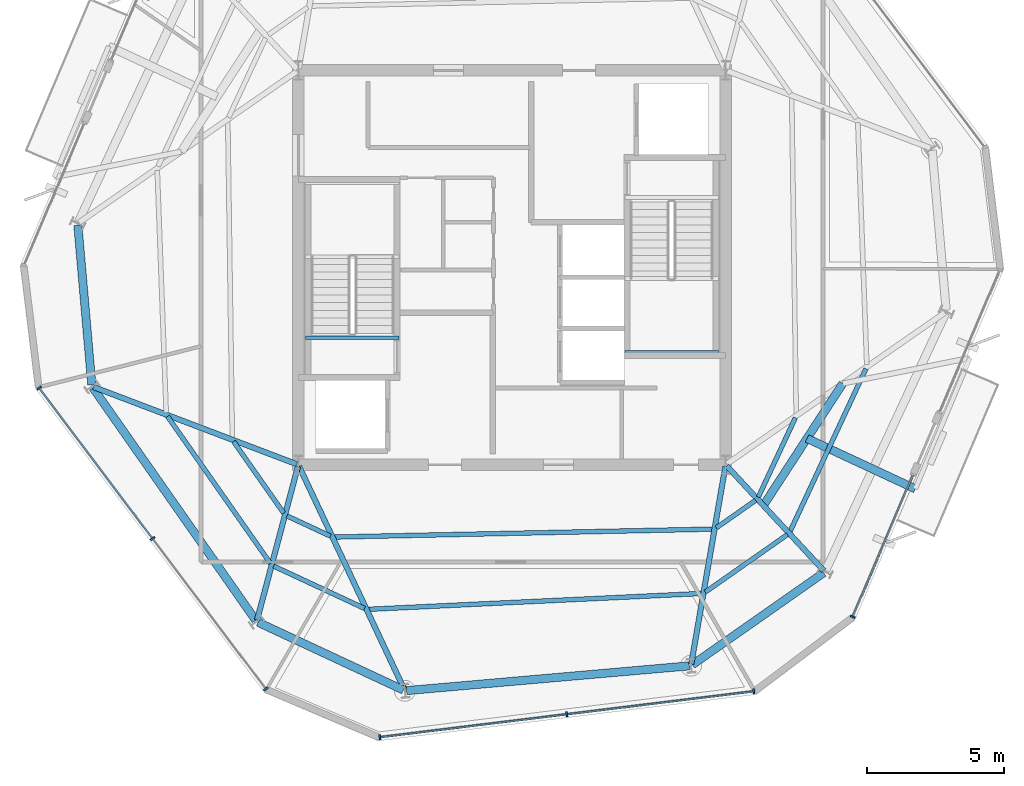
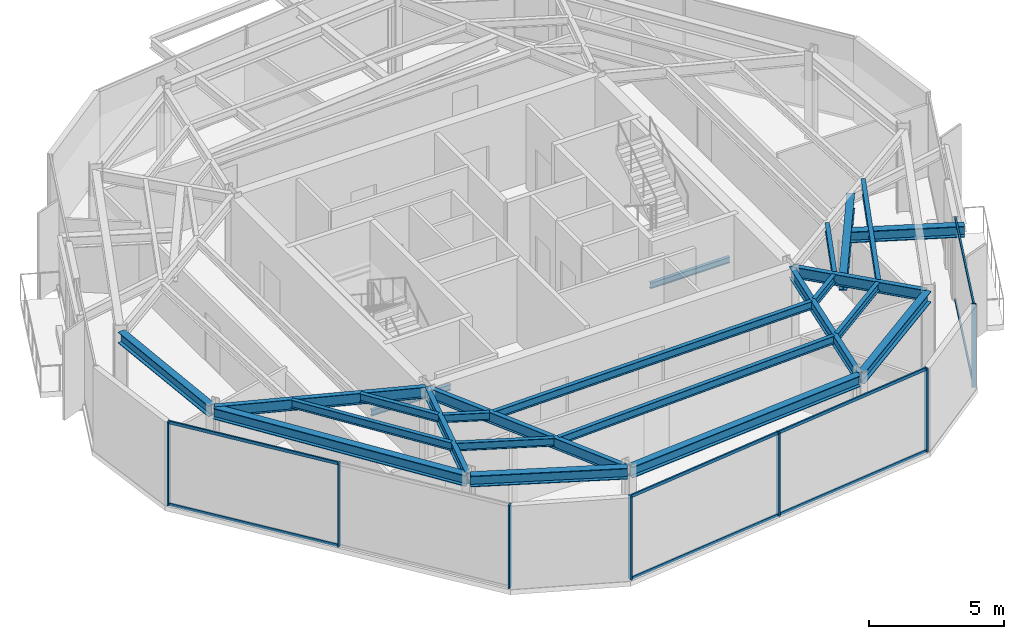
# One storey, part 2 of 11: 24 beams, 15 members, 3 elements without a shape of their own.
"""IFC4 building model written with IfcOpenShell, lengths in metres."""

from ifc_helpers import new_model, si_unit, direction, frame, origin, origin_2d, place, context, subcontext, project, spatial, rectangle, i_section, extrude, material, layer, layer_set, material_profile, profile_set, type_object, element, aggregate, save


model = new_model("IFC4")

# Units and contexts
model_context = context("Model", 3, precision=1e-05, world=origin(), true_north=direction((0.0, 1.0)))
body_context = subcontext(model_context, "Body", "Model", "MODEL_VIEW")
ifc_project = project(units=[si_unit("LENGTHUNIT", "METRE"), si_unit("AREAUNIT", "SQUARE_METRE"), si_unit("VOLUMEUNIT", "CUBIC_METRE"), si_unit("PLANEANGLEUNIT", "RADIAN"), si_unit("MASSUNIT", "GRAM", prefix="KILO")], contexts=[model_context])

# Site, building, storey
site_placement = place(None, origin())
site = spatial("IfcSite", under=ifc_project, at=site_placement, CompositionType="ELEMENT")
building_placement = place(site_placement, origin())
building = spatial("IfcBuilding", under=site, at=building_placement, Name="Kranzbogen Civic Tower", CompositionType="ELEMENT")
storey_placement = place(building_placement, frame((0.0, 0.0, 294.199951171875)))
storey = spatial("IfcBuildingStorey", under=building, at=storey_placement, Name="L71", CompositionType="ELEMENT", Elevation=294.199951171875)

# Curtain wall, members
ifc_material_1 = material(Name="Pale Anodised Aluminium", Category="aluminium")
ifc_layer = layer(ifc_material_1, 0.219970703125, Name="Pale Anodised Aluminium")
ifc_layer_set = layer_set([ifc_layer], Name="Pale Anodised Aluminium")
curtain_wall_type = type_object("IfcCurtainWallType", Name="Zone 4 Stick Curtain Wall System CW-05", PredefinedType="USERDEFINED", material=ifc_layer_set)
curtain_wall_1_placement = place(storey_placement, origin())
curtain_wall_1 = element("IfcCurtainWall", 1, at=curtain_wall_1_placement, inside=storey, type_object=curtain_wall_type, Name="L71 curtain wall CW-L71-F3", ObjectType="STICK CURTAIN WALL", PredefinedType="USERDEFINED")
ifc_material_profile_1 = material_profile(ifc_material_1, rectangle(XDim=0.06494140625, YDim=0.179931640625, at=origin_2d()), Name="ALU-M 65x180")
ifc_profile_set_1 = profile_set([ifc_material_profile_1], Name="Pale Anodised Aluminium")
member_type_1 = type_object("IfcMemberType", Name="Curtain Wall Mullion ALU-M 65x180", PredefinedType="MULLION", material=ifc_profile_set_1)
member_1_placement = place(storey_placement, frame((7.739990234375, 20.60498046875, 0.0), z_axis=(0.0, 0.0, 1.0), x_axis=(0.601816785199, -0.798634182247, 0.0)))
member_1 = element("IfcMember", 2, at=member_1_placement, type_object=member_type_1, Name="CW-05 mullion 1", PredefinedType="MULLION", context=body_context, shape_type="SweptSolid", body=[
    extrude(rectangle(XDim=0.06494140625, YDim=0.179931640625, at=origin_2d()), origin(), (0.0, 0.0, 1.0), 3.780029296875),
])
member_2_placement = place(storey_placement, frame((11.87890625, 15.112548828125, 0.0), z_axis=(0.0, 0.0, 1.0), x_axis=(0.601816785199, -0.798634182247, 0.0)))
member_2 = element("IfcMember", 3, at=member_2_placement, type_object=member_type_1, Name="CW-05 mullion 2", PredefinedType="MULLION", context=body_context, shape_type="SweptSolid", body=[
    extrude(rectangle(XDim=0.06494140625, YDim=0.179931640625, at=origin_2d()), origin(), (0.0, 0.0, 1.0), 3.780029296875),
])
member_3_placement = place(storey_placement, frame((16.01806640625, 9.619873046875, 0.0), z_axis=(0.0, 0.0, 1.0), x_axis=(0.601816785199, -0.798634182247, 0.0)))
member_3 = element("IfcMember", 4, at=member_3_placement, type_object=member_type_1, Name="CW-05 mullion 3", PredefinedType="MULLION", context=body_context, shape_type="SweptSolid", body=[
    extrude(rectangle(XDim=0.06494140625, YDim=0.179931640625, at=origin_2d()), origin(), (0.0, 0.0, 1.0), 3.780029296875),
])

curtain_wall_2_placement = place(storey_placement, origin())
curtain_wall_2 = element("IfcCurtainWall", 5, at=curtain_wall_2_placement, inside=storey, type_object=curtain_wall_type, Name="L71 curtain wall CW-L71-F4", ObjectType="STICK CURTAIN WALL", PredefinedType="USERDEFINED")
member_4_placement = place(storey_placement, frame((20.17578125, 7.854736328125, 0.0), z_axis=(0.0, 0.0, 1.0), x_axis=(0.992551595895, 0.121824995324, 0.0)))
member_4 = element("IfcMember", 6, at=member_4_placement, type_object=member_type_1, Name="CW-05 mullion 1", PredefinedType="MULLION", context=body_context, shape_type="SweptSolid", body=[
    extrude(rectangle(XDim=0.06494140625, YDim=0.179931640625, at=origin_2d()), origin(), (0.0, 0.0, 1.0), 3.780029296875),
])
member_5_placement = place(storey_placement, frame((27.001953125, 8.6923828125, 0.0), z_axis=(0.0, 0.0, 1.0), x_axis=(0.992551595895, 0.121824995324, 0.0)))
member_5 = element("IfcMember", 7, at=member_5_placement, type_object=member_type_1, Name="CW-05 mullion 2", PredefinedType="MULLION", context=body_context, shape_type="SweptSolid", body=[
    extrude(rectangle(XDim=0.06494140625, YDim=0.179931640625, at=origin_2d()), origin(), (0.0, 0.0, 1.0), 3.780029296875),
])
member_6_placement = place(storey_placement, frame((33.828125, 9.5302734375, 0.0), z_axis=(0.0, 0.0, 1.0), x_axis=(0.992551595895, 0.121824995324, 0.0)))
member_6 = element("IfcMember", 8, at=member_6_placement, type_object=member_type_1, Name="CW-05 mullion 3", PredefinedType="MULLION", context=body_context, shape_type="SweptSolid", body=[
    extrude(rectangle(XDim=0.06494140625, YDim=0.179931640625, at=origin_2d()), origin(), (0.0, 0.0, 1.0), 3.780029296875),
])

# Curtain wall, member
curtain_wall_3_placement = place(storey_placement, origin())
curtain_wall_3 = element("IfcCurtainWall", 9, at=curtain_wall_3_placement, inside=storey, type_object=curtain_wall_type, Name="L71 curtain wall CW-L71-F5-S1", ObjectType="STICK CURTAIN WALL", PredefinedType="USERDEFINED")
member_7_placement = place(storey_placement, frame((37.435791015625, 12.24951171875, 0.0), z_axis=(0.0, 0.0, 1.0), x_axis=(0.390702820326, 0.920516869041, 0.0)))
member_7 = element("IfcMember", 10, at=member_7_placement, type_object=member_type_1, Name="CW-05 mullion 1", PredefinedType="MULLION", context=body_context, shape_type="SweptSolid", body=[
    extrude(rectangle(XDim=0.06494140625, YDim=0.179931640625, at=origin_2d()), origin(), (0.0, 0.0, 1.0), 3.780029296875),
])

# Member
ifc_material_profile_2 = material_profile(ifc_material_1, rectangle(XDim=0.06494140625, YDim=0.135009765625, at=origin_2d()), Name="ALU-T 65x135")
ifc_profile_set_2 = profile_set([ifc_material_profile_2], Name="Pale Anodised Aluminium")
member_type_2 = type_object("IfcMemberType", Name="Curtain Wall Transom ALU-T 65x135", PredefinedType="USERDEFINED", material=ifc_profile_set_2)
member_8_placement = place(storey_placement, frame((7.758056640625, 20.5810546875, 0.030029296875), z_axis=(0.601814820519, -0.798635662742, 0.0), x_axis=(0.798635662742, 0.601814820519, 0.0)))
member_8 = element("IfcMember", 11, at=member_8_placement, type_object=member_type_2, Name="CW-05 transom 1.1", ObjectType="TRANSOM", PredefinedType="USERDEFINED", context=body_context, shape_type="SweptSolid", body=[
    extrude(rectangle(XDim=0.06494140625, YDim=0.135009765625, at=origin_2d()), origin(), (0.0, 0.0, 1.0), 6.8173828125),
])

member_9_placement = place(storey_placement, frame((7.758056640625, 20.5810546875, 3.75), z_axis=(0.601814820519, -0.798635662742, 0.0), x_axis=(0.798635662742, 0.601814820519, 0.0)))
member_9 = element("IfcMember", 12, at=member_9_placement, type_object=member_type_2, Name="CW-05 transom 1.2", ObjectType="TRANSOM", PredefinedType="USERDEFINED", context=body_context, shape_type="SweptSolid", body=[
    extrude(rectangle(XDim=0.06494140625, YDim=0.135009765625, at=origin_2d()), origin(), (0.0, 0.0, 1.0), 6.8173828125),
])

aggregate(curtain_wall_1, [member_1, member_2, member_3, member_8, member_9])

member_10_placement = place(storey_placement, frame((20.20556640625, 7.8583984375, 0.030029296875), z_axis=(0.992550902384, 0.121830645472, 0.0), x_axis=(-0.121830645472, 0.992550902384, 0.0)))
member_10 = element("IfcMember", 13, at=member_10_placement, type_object=member_type_2, Name="CW-05 transom 1.1", ObjectType="TRANSOM", PredefinedType="USERDEFINED", context=body_context, shape_type="SweptSolid", body=[
    extrude(rectangle(XDim=0.06494140625, YDim=0.135009765625, at=origin_2d()), origin(), (0.0, 0.0, 1.0), 6.8173828125),
])

member_11_placement = place(storey_placement, frame((20.20556640625, 7.8583984375, 3.75), z_axis=(0.992550902384, 0.121830645472, 0.0), x_axis=(-0.121830645472, 0.992550902384, 0.0)))
member_11 = element("IfcMember", 14, at=member_11_placement, type_object=member_type_2, Name="CW-05 transom 1.2", ObjectType="TRANSOM", PredefinedType="USERDEFINED", context=body_context, shape_type="SweptSolid", body=[
    extrude(rectangle(XDim=0.06494140625, YDim=0.135009765625, at=origin_2d()), origin(), (0.0, 0.0, 1.0), 6.8173828125),
])

member_12_placement = place(storey_placement, frame((27.03173828125, 8.696044921875, 0.030029296875), z_axis=(0.992550902384, 0.121830645472, 0.0), x_axis=(-0.121830645472, 0.992550902384, 0.0)))
member_12 = element("IfcMember", 15, at=member_12_placement, type_object=member_type_2, Name="CW-05 transom 2.1", ObjectType="TRANSOM", PredefinedType="USERDEFINED", context=body_context, shape_type="SweptSolid", body=[
    extrude(rectangle(XDim=0.06494140625, YDim=0.135009765625, at=origin_2d()), origin(), (0.0, 0.0, 1.0), 6.8173828125),
])

member_13_placement = place(storey_placement, frame((27.03173828125, 8.696044921875, 3.75), z_axis=(0.992550902384, 0.121830645472, 0.0), x_axis=(-0.121830645472, 0.992550902384, 0.0)))
member_13 = element("IfcMember", 16, at=member_13_placement, type_object=member_type_2, Name="CW-05 transom 2.2", ObjectType="TRANSOM", PredefinedType="USERDEFINED", context=body_context, shape_type="SweptSolid", body=[
    extrude(rectangle(XDim=0.06494140625, YDim=0.135009765625, at=origin_2d()), origin(), (0.0, 0.0, 1.0), 6.8173828125),
])

aggregate(curtain_wall_2, [member_4, member_5, member_6, member_10, member_11, member_12, member_13])

member_14_placement = place(storey_placement, frame((37.447509765625, 12.27734375, 0.030029296875), z_axis=(0.390715913475, 0.920511311695, 0.0), x_axis=(-0.920511311695, 0.390715913475, 0.0)))
member_14 = element("IfcMember", 17, at=member_14_placement, type_object=member_type_2, Name="CW-05 transom 1.1", ObjectType="TRANSOM", PredefinedType="USERDEFINED", context=body_context, shape_type="SweptSolid", body=[
    extrude(rectangle(XDim=0.06494140625, YDim=0.135009765625, at=origin_2d()), origin(), (0.0, 0.0, 1.0), 5.58740234375),
])

member_15_placement = place(storey_placement, frame((37.447509765625, 12.27734375, 3.75), z_axis=(0.390715913475, 0.920511311695, 0.0), x_axis=(-0.920511311695, 0.390715913475, 0.0)))
member_15 = element("IfcMember", 18, at=member_15_placement, type_object=member_type_2, Name="CW-05 transom 1.2", ObjectType="TRANSOM", PredefinedType="USERDEFINED", context=body_context, shape_type="SweptSolid", body=[
    extrude(rectangle(XDim=0.06494140625, YDim=0.135009765625, at=origin_2d()), origin(), (0.0, 0.0, 1.0), 5.58740234375),
])

aggregate(curtain_wall_3, [member_7, member_14, member_15])

# Beams
ifc_material_2 = material(Name="Steel S355", Category="steel")
ifc_material_profile_3 = material_profile(ifc_material_2, i_section(OverallWidth=0.300048828125, OverallDepth=0.5, WebThickness=0.014404296875, FlangeThickness=0.028076171875, at=origin_2d()), Name="HEB 500")
ifc_profile_set_3 = profile_set([ifc_material_profile_3], Name="Steel S355")
beam_type_1 = type_object("IfcBeamType", Name="Perimeter Tube Spandrel Beam HEB 500", PredefinedType="SPANDREL", material=ifc_profile_set_3)
beam_1_placement = place(storey_placement, frame((9.699951171875, 20.612060546875, 3.530029296875), z_axis=(0.573577759301, -0.819151117948, 0.0), x_axis=(0.819151117948, 0.573577759301, 0.0)))
element("IfcBeam", 19, at=beam_1_placement, inside=storey, type_object=beam_type_1, Name="L71 perimeter spandrel beam 01", PredefinedType="SPANDREL", context=body_context, shape_type="SweptSolid", body=[
    extrude(i_section(OverallWidth=0.300048828125, OverallDepth=0.5, WebThickness=0.014404296875, FlangeThickness=0.028076171875, at=origin_2d()), origin(), (0.0, 0.0, 1.0), 10.36328125),
])
beam_2_placement = place(storey_placement, frame((15.73193359375, 12.049072265625, 3.530029296875), z_axis=(0.906289661556, -0.422657129784, 0.0), x_axis=(0.422657129784, 0.906289661556, 0.0)))
element("IfcBeam", 20, at=beam_2_placement, inside=storey, type_object=beam_type_1, Name="L71 perimeter spandrel beam 02", PredefinedType="SPANDREL", context=body_context, shape_type="SweptSolid", body=[
    extrude(i_section(OverallWidth=0.300048828125, OverallDepth=0.5, WebThickness=0.014404296875, FlangeThickness=0.028076171875, at=origin_2d()), origin(), (0.0, 0.0, 1.0), 5.853759765625),
])
beam_3_placement = place(storey_placement, frame((21.15087890625, 9.554931640625, 3.530029296875), z_axis=(0.996186373839, 0.087250837114, 0.0), x_axis=(-0.087250837114, 0.996186373839, 0.0)))
element("IfcBeam", 21, at=beam_3_placement, inside=storey, type_object=beam_type_1, Name="L71 perimeter spandrel beam 03", PredefinedType="SPANDREL", context=body_context, shape_type="SweptSolid", body=[
    extrude(i_section(OverallWidth=0.300048828125, OverallDepth=0.5, WebThickness=0.014404296875, FlangeThickness=0.028076171875, at=origin_2d()), origin(), (0.0, 0.0, 1.0), 10.361572265625),
])
beam_4_placement = place(storey_placement, frame((31.58203125, 10.498046875, 3.530029296875), z_axis=(0.819059436004, 0.57370867197, 0.0), x_axis=(-0.57370867197, 0.819059436004, 0.0)))
element("IfcBeam", 22, at=beam_4_placement, inside=storey, type_object=beam_type_1, Name="L71 perimeter spandrel beam 04", PredefinedType="SPANDREL", context=body_context, shape_type="SweptSolid", body=[
    extrude(i_section(OverallWidth=0.300048828125, OverallDepth=0.5, WebThickness=0.014404296875, FlangeThickness=0.028076171875, at=origin_2d()), origin(), (0.0, 0.0, 1.0), 5.85302734375),
])
beam_5_placement = place(storey_placement, frame((9.14990234375, 26.550048828125, 3.530029296875), z_axis=(0.087326362434, -0.99617975608, 0.0), x_axis=(0.99617975608, 0.087326362434, 0.0)))
element("IfcBeam", 23, at=beam_5_placement, inside=storey, type_object=beam_type_1, Name="L71 perimeter spandrel beam 12", PredefinedType="SPANDREL", context=body_context, shape_type="SweptSolid", body=[
    extrude(i_section(OverallWidth=0.300048828125, OverallDepth=0.5, WebThickness=0.014404296875, FlangeThickness=0.028076171875, at=origin_2d()), origin(), (0.0, 0.0, 1.0), 5.8515625),
])
beam_6_placement = place(storey_placement, frame((35.77197265625, 18.762939453125, 3.5), z_axis=(0.90633894901, -0.422551428241, 0.0), x_axis=(0.422551428241, 0.90633894901, 0.0)))
element("IfcBeam", 24, at=beam_6_placement, inside=storey, type_object=beam_type_1, Name="L72 back-spanned terrace beam L72-TB1-1", PredefinedType="SPANDREL", context=body_context, shape_type="SweptSolid", body=[
    extrude(i_section(OverallWidth=0.300048828125, OverallDepth=0.5, WebThickness=0.014404296875, FlangeThickness=0.028076171875, at=origin_2d()), origin(), (0.0, 0.0, 1.0), 4.361572265625),
])
ifc_material_profile_4 = material_profile(ifc_material_2, i_section(OverallWidth=0.300048828125, OverallDepth=0.699951171875, WebThickness=0.01708984375, FlangeThickness=0.031982421875, at=origin_2d()), Name="HEB 700")
ifc_profile_set_4 = profile_set([ifc_material_profile_4], Name="Steel S355")
beam_type_2 = type_object("IfcBeamType", Name="Perimeter Tube Spandrel Beam HEB 700", PredefinedType="SPANDREL", material=ifc_profile_set_4)
beam_7_placement = place(storey_placement, frame((34.177001953125, 16.31396484375, 3.400146484375), z_axis=(0.54556961734, 0.838065506172, 0.0), x_axis=(-0.838065506172, 0.54556961734, 0.0)))
element("IfcBeam", 25, at=beam_7_placement, inside=storey, type_object=beam_type_2, Name="L72 balcony back-span header girder L72-TB1", PredefinedType="SPANDREL", context=body_context, shape_type="SweptSolid", body=[
    extrude(i_section(OverallWidth=0.300048828125, OverallDepth=0.699951171875, WebThickness=0.01708984375, FlangeThickness=0.031982421875, at=origin_2d()), origin(), (0.0, 0.0, 1.0), 5.3134765625),
])
ifc_material_profile_5 = material_profile(ifc_material_2, i_section(OverallWidth=0.199951171875, OverallDepth=0.5, WebThickness=0.01025390625, FlangeThickness=0.01611328125, at=origin_2d()), Name="IPE 500")
ifc_profile_set_5 = profile_set([ifc_material_profile_5], Name="Steel S355")
beam_type_3 = type_object("IfcBeamType", Name="Radial Tower Floor Girder IPE 500", PredefinedType="BEAM", material=ifc_profile_set_5)
beam_8_placement = place(storey_placement, frame((9.721923828125, 20.639892578125, 3.530029296875), z_axis=(0.934848709689, -0.355046320913, 0.0), x_axis=(0.355046320913, 0.934848709689, 0.0)))
element("IfcBeam", 26, at=beam_8_placement, inside=storey, type_object=beam_type_3, Name="L71 radial floor girder 01", PredefinedType="BEAM", context=body_context, shape_type="SweptSolid", body=[
    extrude(i_section(OverallWidth=0.199951171875, OverallDepth=0.5, WebThickness=0.01025390625, FlangeThickness=0.01611328125, at=origin_2d()), origin(), (0.0, 0.0, 1.0), 7.939453125),
])
beam_9_placement = place(storey_placement, frame((15.693115234375, 12.132080078125, 3.530029296875), z_axis=(0.257016017622, 0.966407143333, 0.0), x_axis=(-0.966407143333, 0.257016017622, 0.0)))
element("IfcBeam", 27, at=beam_9_placement, inside=storey, type_object=beam_type_3, Name="L71 radial floor girder 02", PredefinedType="BEAM", context=body_context, shape_type="SweptSolid", body=[
    extrude(i_section(OverallWidth=0.199951171875, OverallDepth=0.5, WebThickness=0.01025390625, FlangeThickness=0.01611328125, at=origin_2d()), origin(), (0.0, 0.0, 1.0), 5.804931640625),
])
beam_10_placement = place(storey_placement, frame((21.06494140625, 9.60400390625, 3.530029296875), z_axis=(-0.426460441273, 0.904506214478, 0.0), x_axis=(-0.904506214478, -0.426460441273, 0.0)))
element("IfcBeam", 28, at=beam_10_placement, inside=storey, type_object=beam_type_3, Name="L71 radial floor girder 03", PredefinedType="BEAM", context=body_context, shape_type="SweptSolid", body=[
    extrude(i_section(OverallWidth=0.199951171875, OverallDepth=0.5, WebThickness=0.01025390625, FlangeThickness=0.01611328125, at=origin_2d()), origin(), (0.0, 0.0, 1.0), 9.001708984375),
])
beam_11_placement = place(storey_placement, frame((31.54296875, 10.52294921875, 3.530029296875), z_axis=(0.170249558486, 0.985400978199, 0.0), x_axis=(-0.985400978199, 0.170249558486, 0.0)))
element("IfcBeam", 29, at=beam_11_placement, inside=storey, type_object=beam_type_3, Name="L71 radial floor girder 04", PredefinedType="BEAM", context=body_context, shape_type="SweptSolid", body=[
    extrude(i_section(OverallWidth=0.199951171875, OverallDepth=0.5, WebThickness=0.01025390625, FlangeThickness=0.01611328125, at=origin_2d()), origin(), (0.0, 0.0, 1.0), 7.324951171875),
])
beam_12_placement = place(storey_placement, frame((36.384033203125, 13.93408203125, 3.530029296875), z_axis=(-0.679827353702, 0.733372190064, 0.0), x_axis=(-0.733372190064, -0.679827353702, 0.0)))
element("IfcBeam", 30, at=beam_12_placement, inside=storey, type_object=beam_type_3, Name="L71 radial floor girder 05", PredefinedType="BEAM", context=body_context, shape_type="SweptSolid", body=[
    extrude(i_section(OverallWidth=0.199951171875, OverallDepth=0.5, WebThickness=0.01025390625, FlangeThickness=0.01611328125, at=origin_2d()), origin(), (0.0, 0.0, 1.0), 5.211669921875),
])
ifc_material_profile_6 = material_profile(ifc_material_2, i_section(OverallWidth=0.169921875, OverallDepth=0.360107421875, WebThickness=0.008056640625, FlangeThickness=0.0126953125, at=origin_2d()), Name="IPE 360")
ifc_profile_set_6 = profile_set([ifc_material_profile_6], Name="Steel S355")
beam_type_4 = type_object("IfcBeamType", Name="Secondary Composite Floor Joist IPE 360", PredefinedType="JOIST", material=ifc_profile_set_6)
beam_13_placement = place(storey_placement, frame((12.424072265625, 19.56591796875, 3.60009765625), z_axis=(0.573499872939, -0.819205649235, 0.0), x_axis=(0.819205649235, 0.573499872939, 0.0)))
element("IfcBeam", 31, at=beam_13_placement, inside=storey, type_object=beam_type_4, Name="L71 secondary floor joist 1.01", PredefinedType="JOIST", context=body_context, shape_type="SweptSolid", body=[
    extrude(i_section(OverallWidth=0.169921875, OverallDepth=0.360107421875, WebThickness=0.008056640625, FlangeThickness=0.0126953125, at=origin_2d()), origin(), (0.0, 0.0, 1.0), 6.549072265625),
])
beam_14_placement = place(storey_placement, frame((14.8349609375, 18.64990234375, 3.60009765625), z_axis=(0.573498248491, -0.819206786457, 0.0), x_axis=(0.819206786457, 0.573498248491, 0.0)))
element("IfcBeam", 32, at=beam_14_placement, inside=storey, type_object=beam_type_4, Name="L71 secondary floor joist 2.01", PredefinedType="JOIST", context=body_context, shape_type="SweptSolid", body=[
    extrude(i_section(OverallWidth=0.169921875, OverallDepth=0.360107421875, WebThickness=0.008056640625, FlangeThickness=0.0126953125, at=origin_2d()), origin(), (0.0, 0.0, 1.0), 3.194580078125),
])
beam_15_placement = place(storey_placement, frame((16.298095703125, 14.10205078125, 3.60009765625), z_axis=(0.906303996948, -0.422626389517, 0.0), x_axis=(0.422626389517, 0.906303996948, 0.0)))
element("IfcBeam", 33, at=beam_15_placement, inside=storey, type_object=beam_type_4, Name="L71 secondary floor joist 1.02", PredefinedType="JOIST", context=body_context, shape_type="SweptSolid", body=[
    extrude(i_section(OverallWidth=0.169921875, OverallDepth=0.360107421875, WebThickness=0.008056640625, FlangeThickness=0.0126953125, at=origin_2d()), origin(), (0.0, 0.0, 1.0), 3.6630859375),
])
beam_16_placement = place(storey_placement, frame((16.784912109375, 15.93408203125, 3.60009765625), z_axis=(0.906432174342, -0.422351409751, 0.0), x_axis=(0.422351409751, 0.906432174342, 0.0)))
element("IfcBeam", 34, at=beam_16_placement, inside=storey, type_object=beam_type_4, Name="L71 secondary floor joist 2.02", PredefinedType="JOIST", context=body_context, shape_type="SweptSolid", body=[
    extrude(i_section(OverallWidth=0.169921875, OverallDepth=0.360107421875, WebThickness=0.008056640625, FlangeThickness=0.0126953125, at=origin_2d()), origin(), (0.0, 0.0, 1.0), 1.751953125),
])
beam_17_placement = place(storey_placement, frame((19.77001953125, 12.52392578125, 3.60009765625), z_axis=(0.998871634781, 0.047491654324, 0.0), x_axis=(-0.047491654324, 0.998871634781, 0.0)))
element("IfcBeam", 35, at=beam_17_placement, inside=storey, type_object=beam_type_4, Name="L71 secondary floor joist 1.03", PredefinedType="JOIST", context=body_context, shape_type="SweptSolid", body=[
    extrude(i_section(OverallWidth=0.169921875, OverallDepth=0.360107421875, WebThickness=0.008056640625, FlangeThickness=0.0126953125, at=origin_2d()), origin(), (0.0, 0.0, 1.0), 12.152587890625),
])
beam_18_placement = place(storey_placement, frame((18.52490234375, 15.162109375, 3.60009765625), z_axis=(0.999780746893, 0.020939392104, 0.0), x_axis=(-0.020939392104, 0.999780746893, 0.0)))
element("IfcBeam", 36, at=beam_18_placement, inside=storey, type_object=beam_type_4, Name="L71 secondary floor joist 2.03", PredefinedType="JOIST", context=body_context, shape_type="SweptSolid", body=[
    extrude(i_section(OverallWidth=0.169921875, OverallDepth=0.360107421875, WebThickness=0.008056640625, FlangeThickness=0.0126953125, at=origin_2d()), origin(), (0.0, 0.0, 1.0), 13.79296875),
])
beam_19_placement = place(storey_placement, frame((32.054931640625, 13.15087890625, 3.60009765625), z_axis=(0.819006333711, 0.573784476385, 0.0), x_axis=(-0.573784476385, 0.819006333711, 0.0)))
element("IfcBeam", 37, at=beam_19_placement, inside=storey, type_object=beam_type_4, Name="L71 secondary floor joist 1.04", PredefinedType="JOIST", context=body_context, shape_type="SweptSolid", body=[
    extrude(i_section(OverallWidth=0.169921875, OverallDepth=0.360107421875, WebThickness=0.008056640625, FlangeThickness=0.0126953125, at=origin_2d()), origin(), (0.0, 0.0, 1.0), 3.661865234375),
])
beam_20_placement = place(storey_placement, frame((32.4599609375, 15.498046875, 3.60009765625), z_axis=(0.818956727849, 0.573855276103, 0.0), x_axis=(-0.573855276103, 0.818956727849, 0.0)))
element("IfcBeam", 38, at=beam_20_placement, inside=storey, type_object=beam_type_4, Name="L71 secondary floor joist 2.04", PredefinedType="JOIST", context=body_context, shape_type="SweptSolid", body=[
    extrude(i_section(OverallWidth=0.169921875, OverallDepth=0.360107421875, WebThickness=0.008056640625, FlangeThickness=0.0126953125, at=origin_2d()), origin(), (0.0, 0.0, 1.0), 1.751220703125),
])
beam_21_placement = place(storey_placement, frame((35.154052734375, 15.3701171875, 3.60009765625), z_axis=(0.422542528713, 0.906343098075, 0.0), x_axis=(-0.906343098075, 0.422542528713, 0.0)))
element("IfcBeam", 39, at=beam_21_placement, inside=storey, type_object=beam_type_4, Name="L71 secondary floor joist 1.05", PredefinedType="JOIST", context=body_context, shape_type="SweptSolid", body=[
    extrude(i_section(OverallWidth=0.169921875, OverallDepth=0.360107421875, WebThickness=0.008056640625, FlangeThickness=0.0126953125, at=origin_2d()), origin(), (0.0, 0.0, 1.0), 6.548095703125),
])
beam_22_placement = place(storey_placement, frame((33.993896484375, 16.62109375, 3.60009765625), z_axis=(0.422651143991, 0.906292453065, 0.0), x_axis=(-0.906292453065, 0.422651143991, 0.0)))
element("IfcBeam", 40, at=beam_22_placement, inside=storey, type_object=beam_type_4, Name="L71 secondary floor joist 2.05", PredefinedType="JOIST", context=body_context, shape_type="SweptSolid", body=[
    extrude(i_section(OverallWidth=0.169921875, OverallDepth=0.360107421875, WebThickness=0.008056640625, FlangeThickness=0.0126953125, at=origin_2d()), origin(), (0.0, 0.0, 1.0), 3.1943359375),
])
ifc_material_profile_7 = material_profile(ifc_material_2, i_section(OverallWidth=0.135009765625, OverallDepth=0.27001953125, WebThickness=0.006591796875, FlangeThickness=0.01025390625, at=origin_2d()), Name="IPE 270")
ifc_profile_set_7 = profile_set([ifc_material_profile_7], Name="Steel S355")
beam_type_5 = type_object("IfcBeamType", Name="Stair Landing Support Beam IPE 270", PredefinedType="JOIST", material=ifc_profile_set_7)
for number, where, z_axis, x_axis, name in (
    (41, (20.8798828125, 22.43994140625, -0.35498046875), (-1.0, 0.0, 0.0), (0.0, -1.0, 0.0), "L71 ST-T1 stair floor header beam"),
    (42, (29.1201171875, 21.89990234375, 1.6650390625), (1.0, 0.0, 0.0), (0.0, 1.0, 0.0), "L71 ST-T2 landing support beam 1.2"),
):
    element("IfcBeam", number, at=place(storey_placement, frame(where, z_axis=z_axis, x_axis=x_axis)), inside=storey, type_object=beam_type_5, Name=name, PredefinedType="JOIST", context=body_context, shape_type="SweptSolid", body=[
        extrude(i_section(OverallWidth=0.135009765625, OverallDepth=0.27001953125, WebThickness=0.006591796875, FlangeThickness=0.01025390625, at=origin_2d()), origin(), (0.0, 0.0, 1.0), 3.409912109375),
    ])

save(model, "model.ifc")
